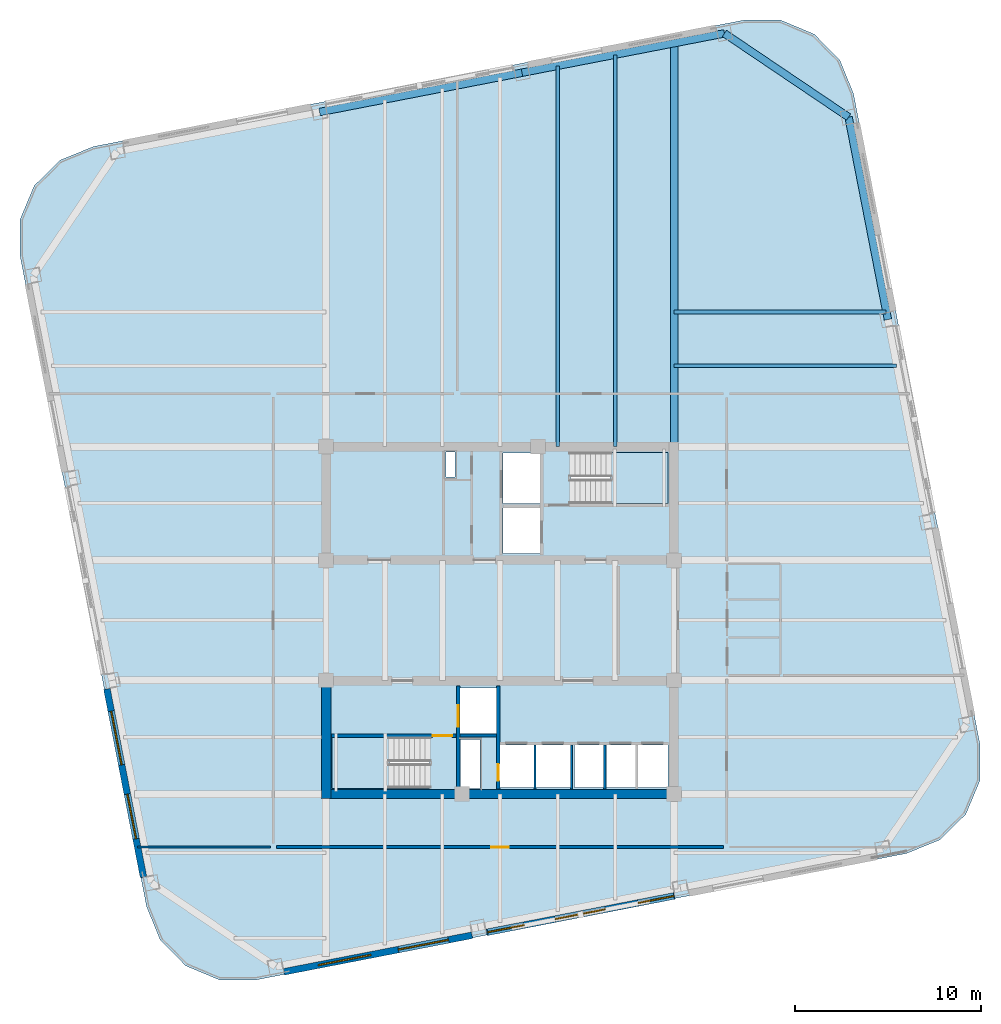
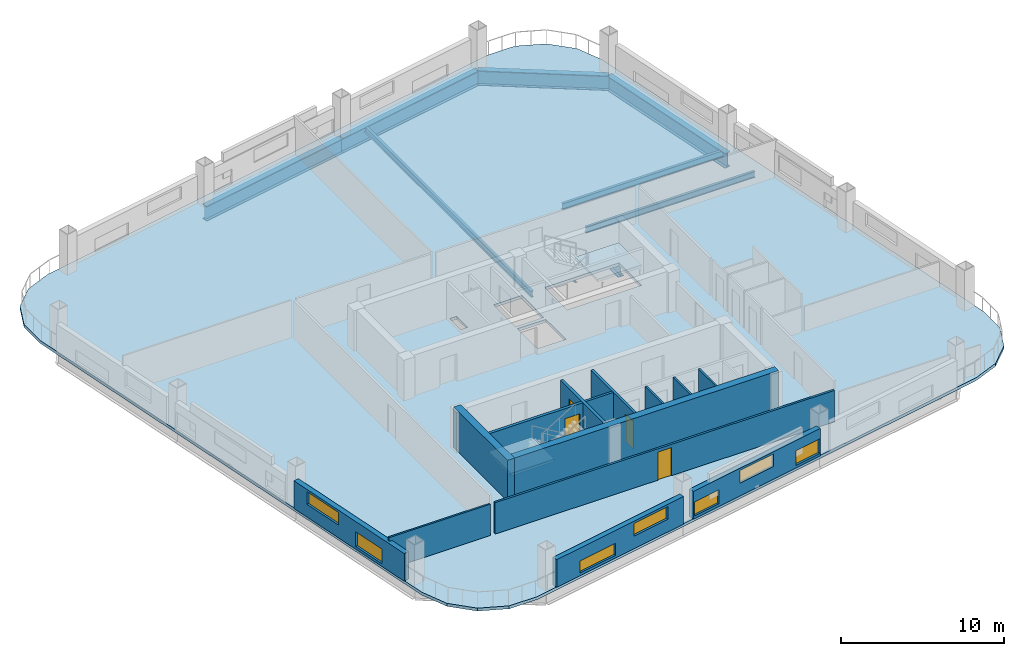
# One storey, part 2 of 8: 14 walls, 9 beams, 7 windows, 4 doors, 3 slabs, 11 openings, 2 elements without a shape of their own.
"""IFC4 building model written with IfcOpenShell, lengths in metres."""

from ifc_helpers import new_model, si_unit, direction, frame, frame_2d, origin, origin_2d, place, context, subcontext, project, spatial, polyline, rectangle, i_section, outline, extrude, material, layer, layer_set, material_profile, profile_set, type_object, element, fill, aggregate, save


model = new_model("IFC4")

# Units and contexts
model_context = context("Model", 3, precision=1e-05, world=origin(), true_north=direction((0.0, 1.0)))
body_context = subcontext(model_context, "Body", "Model", "MODEL_VIEW")
ifc_project = project(units=[si_unit("LENGTHUNIT", "METRE"), si_unit("AREAUNIT", "SQUARE_METRE"), si_unit("VOLUMEUNIT", "CUBIC_METRE"), si_unit("PLANEANGLEUNIT", "RADIAN"), si_unit("MASSUNIT", "GRAM", prefix="KILO")], contexts=[model_context])

# Site, building, storey
site_placement = place(None, origin())
site = spatial("IfcSite", under=ifc_project, at=site_placement, CompositionType="ELEMENT")
building_placement = place(site_placement, origin())
building = spatial("IfcBuilding", under=site, at=building_placement, Name="Qhalaya Broadcast Tower", CompositionType="ELEMENT")
storey_placement = place(building_placement, frame((0.0, 0.0, 115.85009765625)))
storey = spatial("IfcBuildingStorey", under=building, at=storey_placement, Name="L33", CompositionType="ELEMENT", Elevation=115.85009765625)

# Beams
ifc_material_1 = material(Name="Structural Steel ASTM A992 Grade 50", Category="steel")
ifc_material_profile_1 = material_profile(ifc_material_1, i_section(OverallWidth=0.19189453125, OverallDepth=0.462890625, WebThickness=0.010498046875, FlangeThickness=0.017578125, at=origin_2d()), Name="W18X60")
ifc_profile_set_1 = profile_set([ifc_material_profile_1], Name="Structural Steel ASTM A992 Grade 50")
beam_type_1 = type_object("IfcBeamType", Name="Composite Floor Joist J03", PredefinedType="JOIST", material=ifc_profile_set_1)
beam_1_placement = place(storey_placement, frame((3.10009765625, 9.949951171875, -0.45166015625), z_axis=(0.0, 1.0, 0.0), x_axis=(-1.0, 0.0, 0.0)))
element("IfcBeam", 1, at=beam_1_placement, inside=storey, type_object=beam_type_1, Name="L33 J03 L33-JNN4-1", PredefinedType="JOIST", context=body_context, shape_type="SweptSolid", body=[
    extrude(i_section(OverallWidth=0.19189453125, OverallDepth=0.462890625, WebThickness=0.010498046875, FlangeThickness=0.017578125, at=origin_2d()), origin(), (0.0, 0.0, 1.0), 20.480712890625),
])
beam_2_placement = place(storey_placement, frame((6.199951171875, 9.949951171875, -0.45166015625), z_axis=(0.0, 1.0, 0.0), x_axis=(-1.0, 0.0, 0.0)))
element("IfcBeam", 2, at=beam_2_placement, inside=storey, type_object=beam_type_1, Name="L33 J03 L33-JNN5-1", PredefinedType="JOIST", context=body_context, shape_type="SweptSolid", body=[
    extrude(i_section(OverallWidth=0.19189453125, OverallDepth=0.462890625, WebThickness=0.010498046875, FlangeThickness=0.017578125, at=origin_2d()), origin(), (0.0, 0.0, 1.0), 21.083251953125),
])
beam_3_placement = place(storey_placement, frame((9.375, 14.300048828125, -0.45166015625), z_axis=(1.0, 0.0, 0.0), x_axis=(0.0, 1.0, 0.0)))
element("IfcBeam", 3, at=beam_3_placement, inside=storey, type_object=beam_type_1, Name="L33 J03 L33-JWE6E-1", PredefinedType="JOIST", context=body_context, shape_type="SweptSolid", body=[
    extrude(i_section(OverallWidth=0.19189453125, OverallDepth=0.462890625, WebThickness=0.010498046875, FlangeThickness=0.017578125, at=origin_2d()), origin(), (0.0, 0.0, 1.0), 11.969482421875),
])
beam_4_placement = place(storey_placement, frame((9.375, 17.199951171875, -0.45166015625), z_axis=(1.0, 0.0, 0.0), x_axis=(0.0, 1.0, 0.0)))
element("IfcBeam", 4, at=beam_4_placement, inside=storey, type_object=beam_type_1, Name="L33 J03 L33-JWE7E-1", PredefinedType="JOIST", context=body_context, shape_type="SweptSolid", body=[
    extrude(i_section(OverallWidth=0.19189453125, OverallDepth=0.462890625, WebThickness=0.010498046875, FlangeThickness=0.017578125, at=origin_2d()), origin(), (0.0, 0.0, 1.0), 11.40576171875),
])
ifc_material_profile_2 = material_profile(ifc_material_1, i_section(OverallWidth=0.404052734375, OverallDepth=1.117919921875, WebThickness=0.026123046875, FlangeThickness=0.044921875, at=origin_2d()), Name="W44X335")
ifc_profile_set_2 = profile_set([ifc_material_profile_2], Name="Structural Steel ASTM A992 Grade 50")
beam_type_2 = type_object("IfcBeamType", Name="Podium Long-Span Primary Girder PG1", PredefinedType="USERDEFINED", material=ifc_profile_set_2)
beam_5_placement = place(storey_placement, frame((20.88037109375, 16.79248046875, -0.779052734375), z_axis=(-0.190800781233, 0.98162878008, 0.0), x_axis=(-0.98162878008, -0.190800781233, 0.0)))
element("IfcBeam", 5, at=beam_5_placement, inside=storey, type_object=beam_type_2, Name="L33 PG1 L33-SPR-07", ObjectType="GIRDER", PredefinedType="USERDEFINED", context=body_context, shape_type="SweptSolid", body=[
    extrude(i_section(OverallWidth=0.404052734375, OverallDepth=1.117919921875, WebThickness=0.026123046875, FlangeThickness=0.044921875, at=origin_2d()), origin(), (0.0, 0.0, 1.0), 11.10009765625),
])
beam_6_placement = place(storey_placement, frame((18.762451171875, 27.688720703125, -0.779052734375), z_axis=(-0.829042088473, 0.559186208288, 0.0), x_axis=(-0.559186208288, -0.829042088473, 0.0)))
element("IfcBeam", 6, at=beam_6_placement, inside=storey, type_object=beam_type_2, Name="L33 PG1 L33-SPR-08", ObjectType="GIRDER", PredefinedType="USERDEFINED", context=body_context, shape_type="SweptSolid", body=[
    extrude(i_section(OverallWidth=0.404052734375, OverallDepth=1.117919921875, WebThickness=0.026123046875, FlangeThickness=0.044921875, at=origin_2d()), origin(), (0.0, 0.0, 1.0), 8.06103515625),
])
beam_7_placement = place(storey_placement, frame((12.07958984375, 32.1962890625, -0.779052734375), z_axis=(-0.98162878008, -0.190800781233, 0.0), x_axis=(0.190800781233, -0.98162878008, 0.0)))
element("IfcBeam", 7, at=beam_7_placement, inside=storey, type_object=beam_type_2, Name="L33 PG1 L33-SPR-09", ObjectType="GIRDER", PredefinedType="USERDEFINED", context=body_context, shape_type="SweptSolid", body=[
    extrude(i_section(OverallWidth=0.404052734375, OverallDepth=1.117919921875, WebThickness=0.026123046875, FlangeThickness=0.044921875, at=origin_2d()), origin(), (0.0, 0.0, 1.0), 11.10009765625),
])
beam_8_placement = place(storey_placement, frame((1.183349609375, 30.078369140625, -0.779052734375), z_axis=(-0.981627979352, -0.190804900759, 0.0), x_axis=(0.190804900759, -0.981627979352, 0.0)))
element("IfcBeam", 8, at=beam_8_placement, inside=storey, type_object=beam_type_2, Name="L33 PG1 L33-SPR-10", ObjectType="GIRDER", PredefinedType="USERDEFINED", context=body_context, shape_type="SweptSolid", body=[
    extrude(i_section(OverallWidth=0.404052734375, OverallDepth=1.117919921875, WebThickness=0.026123046875, FlangeThickness=0.044921875, at=origin_2d()), origin(), (0.0, 0.0, 1.0), 11.099853515625),
])
beam_9_placement = place(storey_placement, frame((9.375, 9.949951171875, -0.779052734375), z_axis=(0.0, 1.0, 0.0), x_axis=(-1.0, 0.0, 0.0)))
element("IfcBeam", 9, at=beam_9_placement, inside=storey, type_object=beam_type_2, Name="L33 PG1 L33-PGXN2-1", ObjectType="GIRDER", PredefinedType="USERDEFINED", context=body_context, shape_type="SweptSolid", body=[
    extrude(i_section(OverallWidth=0.404052734375, OverallDepth=1.117919921875, WebThickness=0.026123046875, FlangeThickness=0.044921875, at=origin_2d()), origin(), (0.0, 0.0, 1.0), 21.7001953125),
])

# Stair, slab
ifc_material_2 = material(Name="Concrete C40/50", Category="concrete")
stair_type = type_object("IfcStairType", Name="Protected Dogleg Core Stair 3150", PredefinedType="TWO_STRAIGHT_RUN_STAIR", material=ifc_material_2)
stair_1_placement = place(storey_placement, origin())
stair_1 = element("IfcStair", 10, at=stair_1_placement, inside=storey, type_object=stair_type, Name="L33 North Core Exit Stair ST-1", PredefinedType="TWO_STRAIGHT_RUN_STAIR")
ifc_layer_1 = layer(ifc_material_2, 0.199951171875, Name="Concrete C40/50")
ifc_layer_set_1 = layer_set([ifc_layer_1], Name="Concrete C40/50")
slab_type_1 = type_object("IfcSlabType", Name="Stair & Ramp Half-Landing Slab 200", PredefinedType="LANDING", material=ifc_layer_set_1)
slab_1_placement = place(storey_placement, frame((0.0, 0.0, 1.324951171875)))
slab_1 = element("IfcSlab", 11, at=slab_1_placement, type_object=slab_type_1, Name="ST-1 landing 1", PredefinedType="LANDING", context=body_context, shape_type="SweptSolid", body=[
    extrude(outline(polyline([(5.955078125, 6.8798828125), (9.050048828125, 6.8798828125), (9.050048828125, 9.639892578125), (5.955078125, 9.639892578125), (5.955078125, 6.8798828125)])), origin(), (0.0, 0.0, 1.0), 0.199951171875),
])
aggregate(stair_1, [slab_1])

stair_2_placement = place(storey_placement, origin())
stair_2 = element("IfcStair", 12, at=stair_2_placement, inside=storey, type_object=stair_type, Name="L33 South Core Exit Stair ST-2", PredefinedType="TWO_STRAIGHT_RUN_STAIR")
slab_2_placement = place(storey_placement, frame((0.0, 0.0, 1.324951171875)))
slab_2 = element("IfcSlab", 13, at=slab_2_placement, type_object=slab_type_1, Name="ST-2 landing 1", PredefinedType="LANDING", context=body_context, shape_type="SweptSolid", body=[
    extrude(outline(polyline([(-5.955078125, -5.679931640625), (-9.050048828125, -5.679931640625), (-9.050048828125, -8.43994140625), (-5.955078125, -8.43994140625), (-5.955078125, -5.679931640625)])), origin(), (0.0, 0.0, 1.0), 0.199951171875),
])
aggregate(stair_2, [slab_2])

# Slab
ifc_layer_2 = layer(ifc_material_2, 0.219970703125, Name="Concrete C40/50")
ifc_layer_set_2 = layer_set([ifc_layer_2], Name="Concrete C40/50")
slab_type_2 = type_object("IfcSlabType", Name="Tower Composite Floor Slab 220", PredefinedType="FLOOR", material=ifc_layer_set_2)
slab_3_placement = place(storey_placement, frame((0.0, 0.0, -0.22021484375)))
element("IfcSlab", 14, at=slab_3_placement, inside=storey, type_object=slab_type_2, Name="L33 Main Structural Floor Slab", PredefinedType="FLOOR", context=body_context, shape_type="SweptSolid", body=[
    extrude(outline(polyline([(21.882080078125, -11.944091796875), (23.687744140625, -11.20556640625), (25.0732421875, -9.83203125), (25.82763671875, -8.032958984375), (25.836181640625, -6.08203125), (19.024169921875, 28.9619140625), (18.285400390625, 30.767578125), (16.912109375, 32.1533203125), (15.11279296875, 32.90771484375), (13.162109375, 32.916015625), (-21.882080078125, 26.104248046875), (-23.687744140625, 25.365478515625), (-25.0732421875, 23.9921875), (-25.82763671875, 22.19287109375), (-25.836181640625, 20.2421875), (-19.024169921875, -14.802001953125), (-18.285400390625, -16.607666015625), (-16.912109375, -17.9931640625), (-15.11279296875, -18.74755859375), (-13.162109375, -18.756103515625), (21.882080078125, -11.944091796875)]), holes=[polyline([(3.784912109375, 9.639892578125), (9.050048828125, 9.639892578125), (9.050048828125, 6.8798828125), (3.784912109375, 6.8798828125), (3.784912109375, 9.639892578125)]), polyline([(-3.784912109375, -8.43994140625), (-9.050048828125, -8.43994140625), (-9.050048828125, -5.679931640625), (-3.784912109375, -5.679931640625), (-3.784912109375, -8.43994140625)]), polyline([(0.14990234375, 6.64990234375), (2.14990234375, 6.64990234375), (2.14990234375, 4.199951171875), (0.14990234375, 4.199951171875), (0.14990234375, 6.64990234375)]), polyline([(0.14990234375, 9.60009765625), (2.14990234375, 9.60009765625), (2.14990234375, 6.89990234375), (0.14990234375, 6.89990234375), (0.14990234375, 9.60009765625)]), polyline([(-2.14990234375, -3.050048828125), (-0.14990234375, -3.050048828125), (-0.14990234375, -5.5), (-2.14990234375, -5.5), (-2.14990234375, -3.050048828125)]), polyline([(-0.050048828125, -6.10009765625), (1.830078125, -6.10009765625), (1.830078125, -8.39990234375), (-0.050048828125, -8.39990234375), (-0.050048828125, -6.10009765625)]), polyline([(1.949951171875, -6.10009765625), (3.830078125, -6.10009765625), (3.830078125, -8.39990234375), (1.949951171875, -8.39990234375), (1.949951171875, -6.10009765625)]), polyline([(4.0, -6.10009765625), (5.60009765625, -6.10009765625), (5.60009765625, -8.39990234375), (4.0, -8.39990234375), (4.0, -6.10009765625)]), polyline([(5.719970703125, -6.10009765625), (7.320068359375, -6.10009765625), (7.320068359375, -8.39990234375), (5.719970703125, -8.39990234375), (5.719970703125, -6.10009765625)]), polyline([(7.43994140625, -6.10009765625), (9.0400390625, -6.10009765625), (9.0400390625, -8.39990234375), (7.43994140625, -8.39990234375), (7.43994140625, -6.10009765625)]), polyline([(-2.919921875, 9.659912109375), (-2.419921875, 9.659912109375), (-2.419921875, 8.320068359375), (-2.919921875, 8.320068359375), (-2.919921875, 9.659912109375)]), polyline([(-2.1201171875, -5.820068359375), (-1.080078125, -5.820068359375), (-1.080078125, -8.4599609375), (-2.1201171875, -8.4599609375), (-2.1201171875, -5.820068359375)])]), origin(), (0.0, 0.0, 1.0), 0.22021484375),
])

# Wall, opening, door
ifc_material_3 = material(Name="Gypsum Acoustic Partition")
ifc_layer_3 = layer(ifc_material_3, 0.14990234375, Name="Gypsum Acoustic Partition")
ifc_layer_set_3 = layer_set([ifc_layer_3], Name="Gypsum Acoustic Partition")
wall_type_1 = type_object("IfcWallType", Name="Corridor & Tenancy Acoustic Partition 150", PredefinedType="PARTITIONING", material=ifc_layer_set_3)
wall_1_placement = place(storey_placement, frame((-12.02001953125, -11.60009765625, 0.0), z_axis=(0.0, 0.0, 1.0), x_axis=(1.0, 0.0, 0.0)))
wall_1 = element("IfcWall", 15, at=wall_1_placement, inside=storey, type_object=wall_type_1, Name="L33 Partition Wall W-COR-03", PredefinedType="PARTITIONING", context=body_context, shape_type="SweptSolid", body=[
    extrude(rectangle(XDim=24.0400390625, YDim=0.14990234375, at=frame_2d((12.02001953125, 0.0))), origin(), (0.0, 0.0, 1.0), 2.346923828125),
])
opening_1_placement = place(wall_1_placement, frame((11.544921875, 0.0, 0.0)))
opening_1 = element("IfcOpeningElement", 16, at=opening_1_placement, cuts=wall_1, Name="Opening D10", PredefinedType="OPENING", context=body_context, shape_type="SweptSolid", body=[
    extrude(rectangle(XDim=0.949951171875, YDim=2.10009765625, at=frame_2d((0.47509765625, 1.050048828125))), frame((0.0, 0.0869140625, 0.0), z_axis=(0.0, -1.0, 0.0), x_axis=(1.0, 0.0, 0.0)), (0.0, 0.0, 1.0), 0.173828125),
])
ifc_material_4 = material(Name="Timber Veneer Acoustic Door", Category="wood")
door_type_1 = type_object("IfcDoorType", Name="Cellular Office & Edit Booth Door D10", OperationType="NOTDEFINED", PredefinedType="DOOR", material=ifc_material_4)
door_1_placement = place(opening_1_placement, origin())
door_1 = element("IfcDoor", 17, at=door_1_placement, inside=storey, type_object=door_type_1, Name="L33 Door D-RM03", OperationType="SINGLE_SWING_LEFT", OverallHeight=2.10009765625, OverallWidth=0.949951171875, PredefinedType="DOOR", context=body_context, shape_type="SweptSolid", body=[
    extrude(rectangle(XDim=0.949951171875, YDim=2.10009765625, at=frame_2d((0.47509765625, 1.050048828125))), frame((0.0, 0.02490234375, 0.0), z_axis=(0.0, -1.0, 0.0), x_axis=(1.0, 0.0, 0.0)), (0.0, 0.0, 1.0), 0.050048828125),
])
fill(opening_1, door_1)

# Wall, openings, windows
ifc_material_5 = material(Name="Precast Concrete C40/50", Category="concrete")
ifc_layer_4 = layer(ifc_material_5, 0.360107421875, Name="Precast Concrete C40/50")
ifc_layer_set_4 = layer_set([ifc_layer_4], Name="Precast Concrete C40/50")
wall_type_2 = type_object("IfcWallType", Name="Insulated Precast Terracotta Exterior Wall 360", PredefinedType="SOLIDWALL", material=ifc_layer_set_4)
wall_2_placement = place(storey_placement, frame((9.388671875, -14.22998046875, 0.0), z_axis=(0.0, 0.0, 1.0), x_axis=(-0.981627477005, -0.190807485147, 0.0)))
wall_2 = element("IfcWall", 18, at=wall_2_placement, inside=storey, type_object=wall_type_2, Name="L33 Exoskeleton Diagrid Infill Wall S2", PredefinedType="SOLIDWALL", context=body_context, shape_type="SweptSolid", body=[
    extrude(rectangle(XDim=10.300048828125, YDim=0.360107421875, at=frame_2d((5.14990234375, 0.0))), origin(), (0.0, 0.0, 1.0), 2.06689453125),
])
opening_2_placement = place(wall_2_placement, frame((0.0380859375, 0.0, 0.199951171875)))
opening_2 = element("IfcOpeningElement", 19, at=opening_2_placement, cuts=wall_2, Name="Opening W11", PredefinedType="OPENING", context=body_context, shape_type="SweptSolid", body=[
    extrude(rectangle(XDim=1.949951171875, YDim=1.10009765625, at=frame_2d((0.97509765625, 0.550048828125))), frame((0.0, 0.192138671875, 0.0), z_axis=(0.0, -1.0, 0.0), x_axis=(1.0, 0.0, 0.0)), (0.0, 0.0, 1.0), 0.384033203125),
])
opening_3_placement = place(wall_2_placement, frame((3.7880859375, 0.0, 0.949951171875)))
opening_3 = element("IfcOpeningElement", 20, at=opening_3_placement, cuts=wall_2, Name="Opening W11", PredefinedType="OPENING", context=body_context, shape_type="SweptSolid", body=[
    extrude(rectangle(XDim=2.75, YDim=0.949951171875, at=frame_2d((1.375, 0.47509765625))), frame((0.0, 0.192138671875, 0.0), z_axis=(0.0, -1.0, 0.0), x_axis=(1.0, 0.0, 0.0)), (0.0, 0.0, 1.0), 0.384033203125),
])
opening_4_placement = place(wall_2_placement, frame((8.238037109375, 0.0, 0.199951171875)))
opening_4 = element("IfcOpeningElement", 21, at=opening_4_placement, cuts=wall_2, Name="Opening W11", PredefinedType="OPENING", context=body_context, shape_type="SweptSolid", body=[
    extrude(rectangle(XDim=2.0, YDim=1.050048828125, at=frame_2d((1.0, 0.52490234375))), frame((0.0, 0.192138671875, 0.0), z_axis=(0.0, -1.0, 0.0), x_axis=(1.0, 0.0, 0.0)), (0.0, 0.0, 1.0), 0.384033203125),
])
ifc_material_6 = material(Name="Solar-Control Low-E Triple Glazing", Category="glass")
window_type = type_object("IfcWindowType", Name="Odd-Block Diagrid Infill Window W11", PartitioningType="SINGLE_PANEL", PredefinedType="WINDOW", material=ifc_material_6)
window_1_placement = place(opening_2_placement, origin())
window_1 = element("IfcWindow", 22, at=window_1_placement, inside=storey, type_object=window_type, Name="L33 Diagrid Infill Window W11-S3", OverallHeight=1.10009765625, OverallWidth=1.949951171875, PartitioningType="SINGLE_PANEL", PredefinedType="WINDOW", context=body_context, shape_type="SweptSolid", body=[
    extrude(rectangle(XDim=1.949951171875, YDim=1.10009765625, at=frame_2d((0.97509765625, 0.550048828125))), frame((0.0, 0.030029296875, 0.0), z_axis=(0.0, -1.0, 0.0), x_axis=(1.0, 0.0, 0.0)), (0.0, 0.0, 1.0), 0.06005859375),
])
fill(opening_2, window_1)
window_2_placement = place(opening_3_placement, origin())
window_2 = element("IfcWindow", 23, at=window_2_placement, inside=storey, type_object=window_type, Name="L33 Diagrid Infill Window W11-S4", OverallHeight=0.949951171875, OverallWidth=2.75, PartitioningType="SINGLE_PANEL", PredefinedType="WINDOW", context=body_context, shape_type="SweptSolid", body=[
    extrude(rectangle(XDim=2.75, YDim=0.949951171875, at=frame_2d((1.375, 0.47509765625))), frame((0.0, 0.030029296875, 0.0), z_axis=(0.0, -1.0, 0.0), x_axis=(1.0, 0.0, 0.0)), (0.0, 0.0, 1.0), 0.06005859375),
])
fill(opening_3, window_2)
window_3_placement = place(opening_4_placement, origin())
window_3 = element("IfcWindow", 24, at=window_3_placement, inside=storey, type_object=window_type, Name="L33 Diagrid Infill Window W11-S5", OverallHeight=1.050048828125, OverallWidth=2.0, PartitioningType="SINGLE_PANEL", PredefinedType="WINDOW", context=body_context, shape_type="SweptSolid", body=[
    extrude(rectangle(XDim=2.0, YDim=1.050048828125, at=frame_2d((1.0, 0.52490234375))), frame((0.0, 0.030029296875, 0.0), z_axis=(0.0, -1.0, 0.0), x_axis=(1.0, 0.0, 0.0)), (0.0, 0.0, 1.0), 0.06005859375),
])
fill(opening_4, window_3)

wall_3_placement = place(storey_placement, frame((-1.50732421875, -16.34814453125, 0.0), z_axis=(0.0, 0.0, 1.0), x_axis=(-0.981628941133, -0.190799952646, 0.0)))
wall_3 = element("IfcWall", 25, at=wall_3_placement, inside=storey, type_object=wall_type_2, Name="L33 Exoskeleton Diagrid Infill Wall S3", PredefinedType="SOLIDWALL", context=body_context, shape_type="SweptSolid", body=[
    extrude(rectangle(XDim=10.31201171875, YDim=0.360107421875, at=frame_2d((5.156005859375, 0.0))), origin(), (0.0, 0.0, 1.0), 2.06689453125),
])
opening_5_placement = place(wall_3_placement, frame((1.2880859375, 0.0, 0.949951171875)))
opening_5 = element("IfcOpeningElement", 26, at=opening_5_placement, cuts=wall_3, Name="Opening W11", PredefinedType="OPENING", context=body_context, shape_type="SweptSolid", body=[
    extrude(rectangle(XDim=2.75, YDim=0.949951171875, at=frame_2d((1.375, 0.47509765625))), frame((0.0, 0.192138671875, 0.0), z_axis=(0.0, -1.0, 0.0), x_axis=(1.0, 0.0, 0.0)), (0.0, 0.0, 1.0), 0.384033203125),
])
opening_6_placement = place(wall_3_placement, frame((5.5380859375, 0.0, 0.199951171875)))
opening_6 = element("IfcOpeningElement", 27, at=opening_6_placement, cuts=wall_3, Name="Opening W11", PredefinedType="OPENING", context=body_context, shape_type="SweptSolid", body=[
    extrude(rectangle(XDim=2.89990234375, YDim=0.89990234375, at=frame_2d((1.449951171875, 0.449951171875))), frame((0.0, 0.192138671875, 0.0), z_axis=(0.0, -1.0, 0.0), x_axis=(1.0, 0.0, 0.0)), (0.0, 0.0, 1.0), 0.384033203125),
])
window_4_placement = place(opening_5_placement, origin())
window_4 = element("IfcWindow", 28, at=window_4_placement, inside=storey, type_object=window_type, Name="L33 Diagrid Infill Window W11-S6", OverallHeight=0.949951171875, OverallWidth=2.75, PartitioningType="SINGLE_PANEL", PredefinedType="WINDOW", context=body_context, shape_type="SweptSolid", body=[
    extrude(rectangle(XDim=2.75, YDim=0.949951171875, at=frame_2d((1.375, 0.47509765625))), frame((0.0, 0.030029296875, 0.0), z_axis=(0.0, -1.0, 0.0), x_axis=(1.0, 0.0, 0.0)), (0.0, 0.0, 1.0), 0.06005859375),
])
fill(opening_5, window_4)
window_5_placement = place(opening_6_placement, origin())
window_5 = element("IfcWindow", 29, at=window_5_placement, inside=storey, type_object=window_type, Name="L33 Diagrid Infill Window W11-S7", OverallHeight=0.89990234375, OverallWidth=2.89990234375, PartitioningType="SINGLE_PANEL", PredefinedType="WINDOW", context=body_context, shape_type="SweptSolid", body=[
    extrude(rectangle(XDim=2.89990234375, YDim=0.89990234375, at=frame_2d((1.449951171875, 0.449951171875))), frame((0.0, 0.030029296875, 0.0), z_axis=(0.0, -1.0, 0.0), x_axis=(1.0, 0.0, 0.0)), (0.0, 0.0, 1.0), 0.06005859375),
])
fill(opening_6, window_5)

wall_4_placement = place(storey_placement, frame((-19.189697265625, -13.216552734375, 0.0), z_axis=(0.0, 0.0, 1.0), x_axis=(-0.190822765986, 0.981624506612, 0.0)))
wall_4 = element("IfcWall", 30, at=wall_4_placement, inside=storey, type_object=wall_type_2, Name="L33 Exoskeleton Diagrid Infill Wall W1", PredefinedType="SOLIDWALL", context=body_context, shape_type="SweptSolid", body=[
    extrude(rectangle(XDim=10.31201171875, YDim=0.360107421875, at=frame_2d((5.156005859375, 0.0))), origin(), (0.0, 0.0, 1.0), 2.06689453125),
])
opening_7_placement = place(wall_4_placement, frame((2.10009765625, 0.0, 0.199951171875)))
opening_7 = element("IfcOpeningElement", 31, at=opening_7_placement, cuts=wall_4, Name="Opening W11", PredefinedType="OPENING", context=body_context, shape_type="SweptSolid", body=[
    extrude(rectangle(XDim=2.449951171875, YDim=1.10009765625, at=frame_2d((1.22509765625, 0.550048828125))), frame((0.0, 0.192138671875, 0.0), z_axis=(0.0, -1.0, 0.0), x_axis=(1.0, 0.0, 0.0)), (0.0, 0.0, 1.0), 0.384033203125),
])
opening_8_placement = place(wall_4_placement, frame((6.14990234375, 0.0, 0.949951171875)))
opening_8 = element("IfcOpeningElement", 32, at=opening_8_placement, cuts=wall_4, Name="Opening W11", PredefinedType="OPENING", context=body_context, shape_type="SweptSolid", body=[
    extrude(rectangle(XDim=2.949951171875, YDim=0.949951171875, at=frame_2d((1.47509765625, 0.47509765625))), frame((0.0, 0.192138671875, 0.0), z_axis=(0.0, -1.0, 0.0), x_axis=(1.0, 0.0, 0.0)), (0.0, 0.0, 1.0), 0.384033203125),
])
window_6_placement = place(opening_7_placement, origin())
window_6 = element("IfcWindow", 33, at=window_6_placement, inside=storey, type_object=window_type, Name="L33 Diagrid Infill Window W11-W1", OverallHeight=1.10009765625, OverallWidth=2.449951171875, PartitioningType="SINGLE_PANEL", PredefinedType="WINDOW", context=body_context, shape_type="SweptSolid", body=[
    extrude(rectangle(XDim=2.449951171875, YDim=1.10009765625, at=frame_2d((1.22509765625, 0.550048828125))), frame((0.0, 0.030029296875, 0.0), z_axis=(0.0, -1.0, 0.0), x_axis=(1.0, 0.0, 0.0)), (0.0, 0.0, 1.0), 0.06005859375),
])
fill(opening_7, window_6)
window_7_placement = place(opening_8_placement, origin())
window_7 = element("IfcWindow", 34, at=window_7_placement, inside=storey, type_object=window_type, Name="L33 Diagrid Infill Window W11-W2", OverallHeight=0.949951171875, OverallWidth=2.949951171875, PartitioningType="SINGLE_PANEL", PredefinedType="WINDOW", context=body_context, shape_type="SweptSolid", body=[
    extrude(rectangle(XDim=2.949951171875, YDim=0.949951171875, at=frame_2d((1.47509765625, 0.47509765625))), frame((0.0, 0.030029296875, 0.0), z_axis=(0.0, -1.0, 0.0), x_axis=(1.0, 0.0, 0.0)), (0.0, 0.0, 1.0), 0.06005859375),
])
fill(opening_8, window_7)

# Wall, opening, door
ifc_material_7 = material(Name="Concrete C50/60", Category="concrete")
ifc_layer_5 = layer(ifc_material_7, 0.199951171875, Name="Concrete C50/60")
ifc_layer_set_5 = layer_set([ifc_layer_5], Name="Concrete C50/60")
wall_type_3 = type_object("IfcWallType", Name="Load-Bearing Stair Shaft Wall 200", PredefinedType="SHEAR", material=ifc_layer_set_5)
wall_5_placement = place(storey_placement, frame((-9.080078125, -5.60498046875, 0.0), z_axis=(0.0, 0.0, 1.0), x_axis=(1.0, 0.0, 0.0)))
wall_5 = element("IfcWall", 35, at=wall_5_placement, inside=storey, type_object=wall_type_3, Name="L33 Stair Core Shear Wall SCW-ST2", PredefinedType="SHEAR", context=body_context, shape_type="SweptSolid", body=[
    extrude(rectangle(XDim=6.719970703125, YDim=0.199951171875, at=frame_2d((3.35986328125, 0.0))), origin(), (0.0, 0.0, 1.0), 2.829833984375),
])
opening_9_placement = place(wall_5_placement, frame((5.449951171875, 0.0, 0.0)))
opening_9 = element("IfcOpeningElement", 36, at=opening_9_placement, cuts=wall_5, Name="Opening D03", PredefinedType="OPENING", context=body_context, shape_type="SweptSolid", body=[
    extrude(rectangle(XDim=1.050048828125, YDim=2.080078125, at=frame_2d((0.52490234375, 1.0400390625))), frame((0.0, 0.112060546875, 0.0), z_axis=(0.0, -1.0, 0.0), x_axis=(1.0, 0.0, 0.0)), (0.0, 0.0, 1.0), 0.223876953125),
])
ifc_material_8 = material(Name="Fire-Rated Steel Door", Category="steel")
door_type_2 = type_object("IfcDoorType", Name="Core Stair Protected Fire Door D03", OperationType="NOTDEFINED", PredefinedType="DOOR", material=ifc_material_8)
door_2_placement = place(opening_9_placement, origin())
door_2 = element("IfcDoor", 37, at=door_2_placement, inside=storey, type_object=door_type_2, Name="L33 Door D-SST2", OperationType="SINGLE_SWING_RIGHT", OverallHeight=2.080078125, OverallWidth=1.050048828125, PredefinedType="DOOR", context=body_context, shape_type="SweptSolid", body=[
    extrude(rectangle(XDim=1.050048828125, YDim=2.080078125, at=frame_2d((0.52490234375, 1.0400390625))), frame((0.0, 0.02490234375, 0.0), z_axis=(0.0, -1.0, 0.0), x_axis=(1.0, 0.0, 0.0)), (0.0, 0.0, 1.0), 0.050048828125),
])
fill(opening_9, door_2)

wall_6_placement = place(storey_placement, frame((-2.25, -8.47998046875, 0.0), z_axis=(0.0, 0.0, 1.0), x_axis=(0.0, 1.0, 0.0)))
wall_6 = element("IfcWall", 38, at=wall_6_placement, inside=storey, type_object=wall_type_3, Name="L33 Stair Core Shear Wall SCW-FF", PredefinedType="SHEAR", context=body_context, shape_type="SweptSolid", body=[
    extrude(rectangle(XDim=5.56005859375, YDim=0.199951171875, at=frame_2d((2.780029296875, 0.0))), origin(), (0.0, 0.0, 1.0), 2.829833984375),
])
opening_10_placement = place(wall_6_placement, frame((3.35009765625, 0.0, 0.0)))
opening_10 = element("IfcOpeningElement", 39, at=opening_10_placement, cuts=wall_6, Name="Opening LD2", PredefinedType="OPENING", context=body_context, shape_type="SweptSolid", body=[
    extrude(rectangle(XDim=1.14990234375, YDim=2.080078125, at=frame_2d((0.574951171875, 1.0400390625))), frame((0.0, 0.112060546875, 0.0), z_axis=(0.0, -1.0, 0.0), x_axis=(1.0, 0.0, 0.0)), (0.0, 0.0, 1.0), 0.223876953125),
])
ifc_material_9 = material(Name="Brushed Stainless Steel Lift Door", Category="steel")
door_type_3 = type_object("IfcDoorType", Name="Firefighting Lift Sliding Landing Door LD2", OperationType="DOUBLE_DOOR_SLIDING", PredefinedType="DOOR", material=ifc_material_9)
door_3_placement = place(opening_10_placement, origin())
door_3 = element("IfcDoor", 40, at=door_3_placement, inside=storey, type_object=door_type_3, Name="L33 Door LD-FF2", OperationType="DOUBLE_DOOR_SLIDING", OverallHeight=2.080078125, OverallWidth=1.14990234375, PredefinedType="DOOR", context=body_context, shape_type="SweptSolid", body=[
    extrude(rectangle(XDim=1.14990234375, YDim=2.080078125, at=frame_2d((0.574951171875, 1.0400390625))), frame((0.0, 0.02490234375, 0.0), z_axis=(0.0, -1.0, 0.0), x_axis=(1.0, 0.0, 0.0)), (0.0, 0.0, 1.0), 0.050048828125),
])
fill(opening_10, door_3)

# Walls
ifc_layer_6 = layer(ifc_material_7, 0.5, Name="Concrete C50/60")
ifc_layer_set_6 = layer_set([ifc_layer_6], Name="Concrete C50/60")
wall_type_4 = type_object("IfcWallType", Name="Mid Split-Core Shear Wall 500", PredefinedType="SHEAR", material=ifc_layer_set_6)
wall_7_placement = place(storey_placement, frame((-9.60009765625, -8.75, 0.0), z_axis=(0.0, 0.0, 1.0), x_axis=(1.0, 0.0, 0.0)))
element("IfcWall", 41, at=wall_7_placement, inside=storey, type_object=wall_type_4, Name="L33 Split-Core Shear Wall CW-SS", PredefinedType="SHEAR", context=body_context, shape_type="SweptSolid", body=[
    extrude(rectangle(XDim=19.2001953125, YDim=0.5, at=frame_2d((9.60009765625, 0.0))), origin(), (0.0, 0.0, 1.0), 3.0498046875),
])
wall_8_placement = place(storey_placement, frame((-9.35009765625, -9.0, 0.0), z_axis=(0.0, 0.0, 1.0), x_axis=(0.0, 1.0, 0.0)))
element("IfcWall", 42, at=wall_8_placement, inside=storey, type_object=wall_type_4, Name="L33 Split-Core Shear Wall CW-SW", PredefinedType="SHEAR", context=body_context, shape_type="SweptSolid", body=[
    extrude(rectangle(XDim=6.60009765625, YDim=0.5, at=frame_2d((3.300048828125, 0.0))), origin(), (0.0, 0.0, 1.0), 3.0498046875),
])
ifc_layer_7 = layer(ifc_material_3, 0.1201171875, Name="Gypsum Acoustic Partition")
ifc_layer_set_7 = layer_set([ifc_layer_7], Name="Gypsum Acoustic Partition")
wall_type_5 = type_object("IfcWallType", Name="Office, Booth & Sanitary Partition 120", PredefinedType="PARTITIONING", material=ifc_layer_set_7)
for number, where, z_axis, x_axis, name in (
    (43, (1.8798828125, -8.47998046875, 0.0), (0.0, 0.0, 1.0), (0.0, 1.0, 0.0), "L33 Partition Wall SCW-MD4"),
    (44, (3.85009765625, -8.47998046875, 0.0), (0.0, 0.0, 1.0), (0.0, 1.0, 0.0), "L33 Partition Wall SCW-MD5"),
    (45, (5.639892578125, -8.47998046875, 0.0), (0.0, 0.0, 1.0), (0.0, 1.0, 0.0), "L33 Partition Wall SCW-HD6"),
):
    element("IfcWall", number, at=place(storey_placement, frame(where, z_axis=z_axis, x_axis=x_axis)), inside=storey, type_object=wall_type_5, Name=name, PredefinedType="PARTITIONING", context=body_context, shape_type="SweptSolid", body=[
        extrude(rectangle(XDim=2.3798828125, YDim=0.1201171875, at=frame_2d((1.18994140625, 0.0))), origin(), (0.0, 0.0, 1.0), 2.829833984375),
    ])
wall_9_placement = place(storey_placement, frame((-19.5244140625, -11.60009765625, 0.0), z_axis=(0.0, 0.0, 1.0), x_axis=(1.0, 0.0, 0.0)))
element("IfcWall", 46, at=wall_9_placement, inside=storey, type_object=wall_type_5, Name="L33 Partition Wall W-BNDW2", PredefinedType="PARTITIONING", context=body_context, shape_type="SweptSolid", body=[
    extrude(rectangle(XDim=7.184326171875, YDim=0.1201171875, at=frame_2d((3.59228515625, 0.0))), origin(), (0.0, 0.0, 1.0), 2.346923828125),
])

# Wall, opening, door
ifc_layer_8 = layer(ifc_material_3, 0.175048828125, Name="Gypsum Acoustic Partition")
ifc_layer_set_8 = layer_set([ifc_layer_8], Name="Gypsum Acoustic Partition")
wall_type_6 = type_object("IfcWallType", Name="Shaft & Riser Fire Partition 175", PredefinedType="PARTITIONING", material=ifc_layer_set_8)
wall_10_placement = place(storey_placement, frame((-0.10009765625, -8.47998046875, 0.0), z_axis=(0.0, 0.0, 1.0), x_axis=(0.0, 1.0, 0.0)))
wall_10 = element("IfcWall", 47, at=wall_10_placement, inside=storey, type_object=wall_type_6, Name="L33 Partition Wall SCW-FFE", PredefinedType="PARTITIONING", context=body_context, shape_type="SweptSolid", body=[
    extrude(rectangle(XDim=5.56005859375, YDim=0.175048828125, at=frame_2d((2.780029296875, 0.0))), origin(), (0.0, 0.0, 1.0), 2.829833984375),
])
opening_11_placement = place(wall_10_placement, frame((0.449951171875, 0.0, 0.0)))
opening_11 = element("IfcOpeningElement", 48, at=opening_11_placement, cuts=wall_10, Name="Opening D06", PredefinedType="OPENING", context=body_context, shape_type="SweptSolid", body=[
    extrude(rectangle(XDim=0.89990234375, YDim=2.050048828125, at=frame_2d((0.449951171875, 1.02490234375))), frame((0.0, 0.099609375, 0.0), z_axis=(0.0, -1.0, 0.0), x_axis=(1.0, 0.0, 0.0)), (0.0, 0.0, 1.0), 0.198974609375),
])
door_type_4 = type_object("IfcDoorType", Name="Riser & Electrical Shaft Access Door D06", OperationType="NOTDEFINED", PredefinedType="DOOR", material=ifc_material_8)
door_4_placement = place(opening_11_placement, origin())
door_4 = element("IfcDoor", 49, at=door_4_placement, inside=storey, type_object=door_type_4, Name="L33 Riser Shaft Access Door D-SRSR", OperationType="SINGLE_SWING_LEFT", OverallHeight=2.050048828125, OverallWidth=0.89990234375, PredefinedType="DOOR", context=body_context, shape_type="SweptSolid", body=[
    extrude(rectangle(XDim=0.89990234375, YDim=2.050048828125, at=frame_2d((0.449951171875, 1.02490234375))), frame((0.0, 0.02490234375, 0.0), z_axis=(0.0, -1.0, 0.0), x_axis=(1.0, 0.0, 0.0)), (0.0, 0.0, 1.0), 0.050048828125),
])
fill(opening_11, door_4)

# Wall
wall_11_placement = place(storey_placement, frame((-2.14990234375, -5.60009765625, 0.0), z_axis=(0.0, 0.0, 1.0), x_axis=(1.0, 0.0, 0.0)))
element("IfcWall", 50, at=wall_11_placement, inside=storey, type_object=wall_type_6, Name="L33 Partition Wall SCW-FFM", PredefinedType="PARTITIONING", context=body_context, shape_type="SweptSolid", body=[
    extrude(rectangle(XDim=1.969970703125, YDim=0.175048828125, at=frame_2d((0.98486328125, 0.0))), origin(), (0.0, 0.0, 1.0), 2.829833984375),
])

save(model, "model.ifc")
